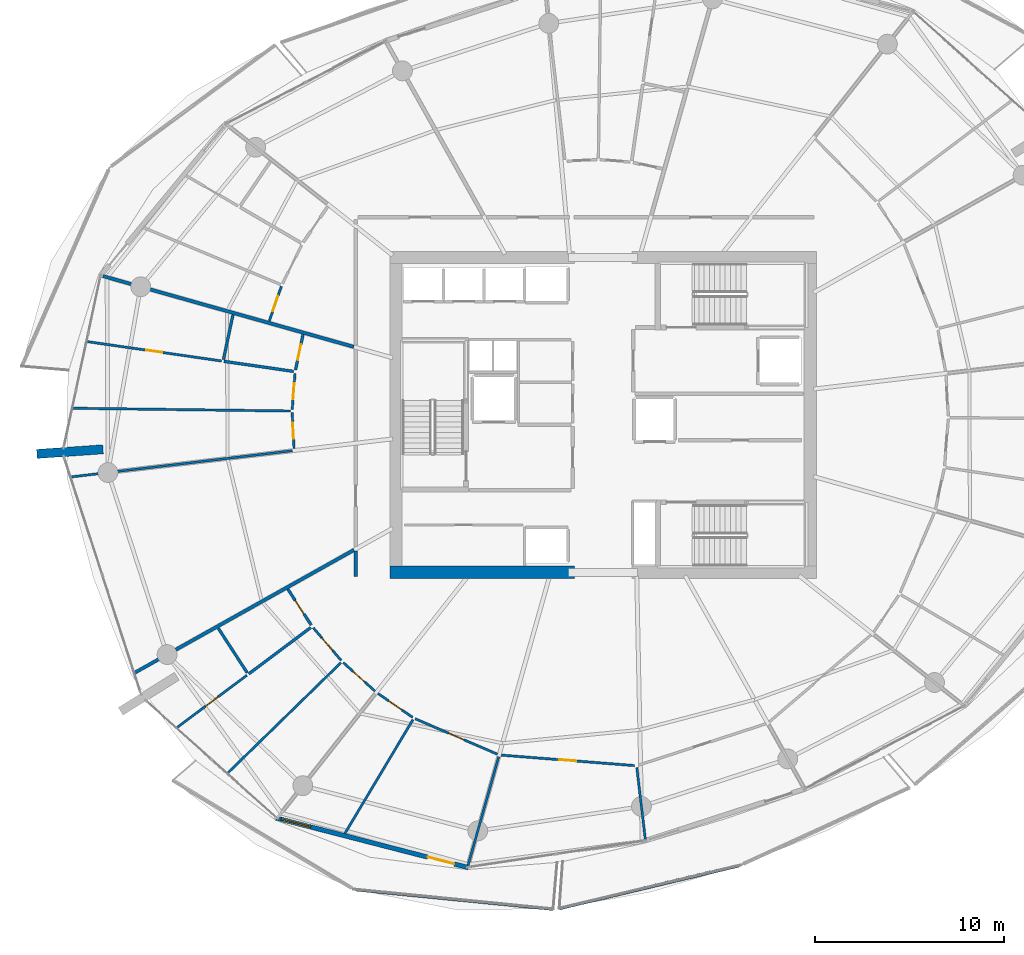
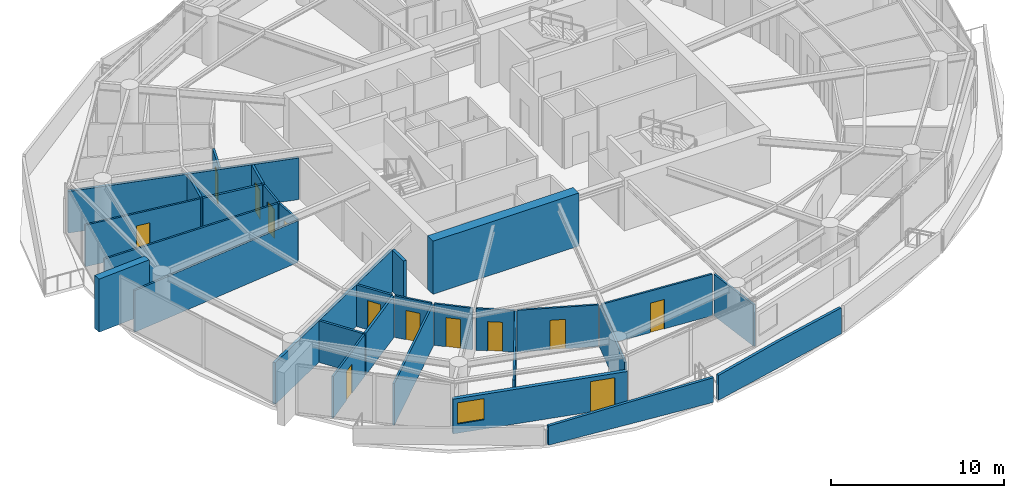
# One storey, part 10 of 19: 30 walls, 13 doors, 1 window, 14 openings.
"""IFC4 building model written with IfcOpenShell, lengths in metres."""

from ifc_helpers import new_model, si_unit, direction, frame, frame_2d, origin, place, context, subcontext, project, spatial, polyline, rectangle, outline, extrude, material, layer, layer_set, type_object, element, fill, save


model = new_model("IFC4")

# Units and contexts
model_context = context("Model", 3, precision=1e-05, world=origin(), true_north=direction((0.0, 1.0)))
body_context = subcontext(model_context, "Body", "Model", "MODEL_VIEW")
ifc_project = project(units=[si_unit("LENGTHUNIT", "METRE"), si_unit("AREAUNIT", "SQUARE_METRE"), si_unit("VOLUMEUNIT", "CUBIC_METRE"), si_unit("PLANEANGLEUNIT", "RADIAN"), si_unit("MASSUNIT", "GRAM", prefix="KILO")], contexts=[model_context])

# Site, building, storey
site_placement = place(None, origin())
site = spatial("IfcSite", under=ifc_project, at=site_placement, CompositionType="ELEMENT")
building_placement = place(site_placement, origin())
building = spatial("IfcBuilding", under=site, at=building_placement, Name="Kazma Halo Residences", CompositionType="ELEMENT")
storey_placement = place(building_placement, frame((0.0, 0.0, 199.050048828125)))
storey = spatial("IfcBuildingStorey", under=building, at=storey_placement, Name="L50", CompositionType="ELEMENT", Elevation=199.050048828125)

# Walls
ifc_material_1 = material(Name="White Concrete C50/60 Balustrade", Category="concrete")
ifc_layer_1 = layer(ifc_material_1, 0.179931640625)
ifc_layer_set_1 = layer_set([ifc_layer_1], Name="White Concrete C50/60 Balustrade")
wall_type_1 = type_object("IfcWallType", Name="WL-BAL-WAVE-180", PredefinedType="PARAPET", material=ifc_layer_set_1)
wall_1_placement = place(storey_placement, frame((35.343505859375, 16.914306640625, 0.0), z_axis=(0.0, 0.0, 1.0), x_axis=(0.995154913377, -0.098319369306, 0.0)))
element("IfcWall", 1, at=wall_1_placement, inside=storey, type_object=wall_type_1, Name="L50 white wave balustrade wall SW.2", PredefinedType="PARAPET", context=body_context, shape_type="SweptSolid", body=[
    extrude(outline(polyline([(0.0, 0.0), (10.4912109375, 0.0), (10.4912109375, 1.7470703125), (5.24560546875, 1.56201171875), (0.0, 1.347900390625), (0.0, 0.0)])), frame((0.0, 0.08984375, 0.0), z_axis=(0.0, -1.0, 0.0), x_axis=(1.0, 0.0, 0.0)), (0.0, 0.0, 1.0), 0.179931640625),
])
wall_2_placement = place(storey_placement, frame((46.107421875, 15.91552734375, 0.0), z_axis=(0.0, 0.0, 1.0), x_axis=(0.972746941522, 0.231869333374, 0.0)))
element("IfcWall", 2, at=wall_2_placement, inside=storey, type_object=wall_type_1, Name="L50 white wave balustrade wall SSE.1", PredefinedType="PARAPET", context=body_context, shape_type="SweptSolid", body=[
    extrude(outline(polyline([(0.0, 0.0), (9.772216796875, 0.0), (9.772216796875, 1.83203125), (4.885986328125, 1.85302734375), (0.0, 1.755859375), (0.0, 0.0)])), frame((0.0, 0.08984375, 0.0), z_axis=(0.0, -1.0, 0.0), x_axis=(1.0, 0.0, 0.0)), (0.0, 0.0, 1.0), 0.179931640625),
])
ifc_material_2 = material(Name="Pale Concrete C60/75", Category="concrete")
ifc_layer_2 = layer(ifc_material_2, 0.47998046875)
ifc_layer_set_2 = layer_set([ifc_layer_2], Name="Pale Concrete C60/75")
wall_type_2 = type_object("IfcWallType", Name="WL-BLADE-480", PredefinedType="SOLIDWALL", material=ifc_layer_set_2)
wall_3_placement = place(storey_placement, frame((21.9873046875, 40.180908203125, 0.0), z_axis=(0.0, 0.0, 1.0), x_axis=(-0.997568676264, -0.069690287244, 0.0)))
element("IfcWall", 3, at=wall_3_placement, inside=storey, type_object=wall_type_2, Name="L50 pale concrete structural blade fin wall BW-02", PredefinedType="SOLIDWALL", context=body_context, shape_type="SweptSolid", body=[
    extrude(rectangle(XDim=3.499755859375, YDim=0.47998046875, at=frame_2d((1.75, 0.0))), origin(), (0.0, 0.0, 1.0), 3.75),
])
ifc_material_3 = material(Name="Concrete C60/75", Category="concrete")
ifc_layer_3 = layer(ifc_material_3, 0.64990234375)
ifc_layer_set_3 = layer_set([ifc_layer_3], Name="Concrete C60/75")
wall_type_3 = type_object("IfcWallType", Name="WL-CORE-650", PredefinedType="SHEAR", material=ifc_layer_set_3)
wall_4_placement = place(storey_placement, frame((37.14990234375, 33.675048828125, 0.0), z_axis=(0.0, 0.0, 1.0), x_axis=(1.0, 0.0, 0.0)))
element("IfcWall", 4, at=wall_4_placement, inside=storey, type_object=wall_type_3, Name="L50 central core shear wall SW", PredefinedType="SHEAR", context=body_context, shape_type="SweptSolid", body=[
    extrude(rectangle(XDim=9.75, YDim=0.64990234375, at=frame_2d((4.875, 0.0))), origin(), (0.0, 0.0, 1.0), 3.75),
])
ifc_material_4 = material(Name="Acoustic Twin-Stud Gypsum")
ifc_layer_4 = layer(ifc_material_4, 0.179931640625)
ifc_layer_set_4 = layer_set([ifc_layer_4], Name="Acoustic Twin-Stud Gypsum")
wall_type_4 = type_object("IfcWallType", Name="WL-DEM-180", PredefinedType="PARTITIONING", material=ifc_layer_set_4)
wall_5_placement = place(storey_placement, frame((35.244140625, 45.59765625, 0.0), z_axis=(0.0, 0.0, 1.0), x_axis=(-0.962456561262, 0.271435752405, 0.0)))
element("IfcWall", 5, at=wall_5_placement, inside=storey, type_object=wall_type_4, Name="L50 apartment demising radial wall 06", PredefinedType="PARTITIONING", context=body_context, shape_type="SweptSolid", body=[
    extrude(rectangle(XDim=13.77685546875, YDim=0.179931640625, at=frame_2d((6.888427734375, 0.0))), origin(), (0.0, 0.0, 1.0), 2.93994140625),
])
wall_6_placement = place(storey_placement, frame((35.25390625, 34.862060546875, 0.0), z_axis=(0.0, 0.0, 1.0), x_axis=(-0.872489721771, -0.488632464541, 0.0)))
element("IfcWall", 6, at=wall_6_placement, inside=storey, type_object=wall_type_4, Name="L50 apartment demising radial wall 08", PredefinedType="PARTITIONING", context=body_context, shape_type="SweptSolid", body=[
    extrude(rectangle(XDim=13.286376953125, YDim=0.179931640625, at=frame_2d((6.64306640625, 0.0))), origin(), (0.0, 0.0, 1.0), 2.93994140625),
])
wall_7_placement = place(storey_placement, frame((35.35009765625, 34.795654296875, 0.0), z_axis=(0.0, 0.0, 1.0), x_axis=(0.0, -1.0, 0.0)))
element("IfcWall", 7, at=wall_7_placement, inside=storey, type_object=wall_type_4, Name="L50 Apartment 4 inner wall 8", PredefinedType="PARTITIONING", context=body_context, shape_type="SweptSolid", body=[
    extrude(rectangle(XDim=1.32568359375, YDim=0.179931640625, at=frame_2d((0.662841796875, 0.0))), origin(), (0.0, 0.0, 1.0), 2.93994140625),
])

# Wall, openings, door, window
ifc_material_5 = material(Name="Insulated Pale-Metal Composite Wall")
ifc_layer_5 = layer(ifc_material_5, 0.239990234375)
ifc_layer_set_5 = layer_set([ifc_layer_5], Name="Insulated Pale-Metal Composite Wall")
wall_type_5 = type_object("IfcWallType", Name="WL-EXT-HOST-240", PredefinedType="SOLIDWALL", material=ifc_layer_set_5)
wall_8_placement = place(storey_placement, frame((31.139892578125, 20.68701171875, 0.0), z_axis=(0.0, 0.0, 1.0), x_axis=(0.968374028006, -0.249502989727, 0.0)))
wall_8 = element("IfcWall", 8, at=wall_8_placement, inside=storey, type_object=wall_type_5, Name="L50 exterior terrace-access wall B10", PredefinedType="SOLIDWALL", context=body_context, shape_type="SweptSolid", body=[
    extrude(rectangle(XDim=10.494384765625, YDim=0.239990234375, at=frame_2d((5.2470703125, 0.0))), origin(), (0.0, 0.0, 1.0), 2.449951171875),
])
opening_1_placement = place(wall_8_placement, frame((8.2744140625, 0.0, 0.0)))
opening_1 = element("IfcOpeningElement", 9, at=opening_1_placement, cuts=wall_8, Name="Opening DTR-1600", PredefinedType="OPENING", context=body_context, shape_type="SweptSolid", body=[
    extrude(rectangle(XDim=1.449951171875, YDim=2.14990234375, at=frame_2d((0.72509765625, 1.074951171875))), frame((0.0, 0.1298828125, 0.0), z_axis=(0.0, -1.0, 0.0), x_axis=(1.0, 0.0, 0.0)), (0.0, 0.0, 1.0), 0.260009765625),
])
opening_2_placement = place(wall_8_placement, frame((0.280029296875, 0.0, 0.64990234375)))
opening_2 = element("IfcOpeningElement", 10, at=opening_2_placement, cuts=wall_8, Name="Opening W-1800", PredefinedType="OPENING", context=body_context, shape_type="SweptSolid", body=[
    extrude(rectangle(XDim=1.60009765625, YDim=1.5, at=frame_2d((0.800048828125, 0.75))), frame((0.0, 0.1298828125, 0.0), z_axis=(0.0, -1.0, 0.0), x_axis=(1.0, 0.0, 0.0)), (0.0, 0.0, 1.0), 0.260009765625),
])
ifc_material_6 = material(Name="Aluminium AW-6063 T6 Double-Glazed Terrace Door", Category="aluminium")
door_type_1 = type_object("IfcDoorType", Name="DR-EXT-TERR-1600", OperationType="NOTDEFINED", PredefinedType="DOOR", material=ifc_material_6)
door_1_placement = place(opening_1_placement, origin())
door_1 = element("IfcDoor", 11, at=door_1_placement, inside=storey, type_object=door_type_1, Name="L50 B10 balcony terrace door", OperationType="DOUBLE_DOOR_SLIDING", OverallHeight=2.14990234375, OverallWidth=1.449951171875, PredefinedType="DOOR", context=body_context, shape_type="SweptSolid", body=[
    extrude(rectangle(XDim=1.449951171875, YDim=2.14990234375, at=frame_2d((0.72509765625, 1.074951171875))), frame((0.0, 0.02490234375, 0.0), z_axis=(0.0, -1.0, 0.0), x_axis=(1.0, 0.0, 0.0)), (0.0, 0.0, 1.0), 0.050048828125),
])
fill(opening_1, door_1)
ifc_material_7 = material(Name="Clear Triple-Silver Low-E Glass in Aluminium AW-6063 T6 Frame", Category="aluminium")
window_type = type_object("IfcWindowType", Name="WIN-RES-1800", PartitioningType="DOUBLE_PANEL_VERTICAL", PredefinedType="WINDOW", material=ifc_material_7)
window_placement = place(opening_2_placement, origin())
window = element("IfcWindow", 12, at=window_placement, inside=storey, type_object=window_type, Name="L50 B10 apartment window", OverallHeight=1.5, OverallWidth=1.60009765625, PartitioningType="SINGLE_PANEL", PredefinedType="WINDOW", context=body_context, shape_type="SweptSolid", body=[
    extrude(rectangle(XDim=1.60009765625, YDim=1.5, at=frame_2d((0.800048828125, 0.75))), frame((0.0, 0.030029296875, 0.0), z_axis=(0.0, -1.0, 0.0), x_axis=(1.0, 0.0, 0.0)), (0.0, 0.0, 1.0), 0.06005859375),
])
fill(opening_2, window)

# Wall, opening, door
ifc_material_8 = material(Name="Gypsum Plasterboard Partition")
ifc_layer_6 = layer(ifc_material_8, 0.125)
ifc_layer_set_6 = layer_set([ifc_layer_6], Name="Gypsum Plasterboard Partition")
wall_type_6 = type_object("IfcWallType", Name="WL-PART-125", PredefinedType="PARTITIONING", material=ifc_layer_set_6)
wall_9_placement = place(storey_placement, frame((31.4140625, 48.793701171875, 0.0), z_axis=(0.0, 0.0, 1.0), x_axis=(-0.32794461855, -0.944696949907, 0.0)))
wall_9 = element("IfcWall", 13, at=wall_9_placement, inside=storey, type_object=wall_type_6, Name="L50 Apartment 2 Primary Bedroom hall wall", PredefinedType="PARTITIONING", context=body_context, shape_type="SweptSolid", body=[
    extrude(rectangle(XDim=1.93994140625, YDim=0.125, at=frame_2d((0.969970703125, 0.0))), origin(), (0.0, 0.0, 1.0), 2.93994140625),
])
opening_3_placement = place(wall_9_placement, frame((0.544921875, 0.0, 0.0)))
opening_3 = element("IfcOpeningElement", 14, at=opening_3_placement, cuts=wall_9, Name="Opening DB-900", PredefinedType="OPENING", context=body_context, shape_type="SweptSolid", body=[
    extrude(rectangle(XDim=0.85009765625, YDim=2.06005859375, at=frame_2d((0.425048828125, 1.030029296875))), frame((0.0, 0.072509765625, 0.0), z_axis=(0.0, -1.0, 0.0), x_axis=(1.0, 0.0, 0.0)), (0.0, 0.0, 1.0), 0.14501953125),
])
ifc_material_9 = material(Name="Moisture-Sealed Timber Leaf", Category="wood")
door_type_2 = type_object("IfcDoorType", Name="DR-BTH-900", OperationType="NOTDEFINED", PredefinedType="DOOR", material=ifc_material_9)
door_2_placement = place(opening_3_placement, origin())
door_2 = element("IfcDoor", 15, at=door_2_placement, inside=storey, type_object=door_type_2, Name="L50 Apartment 2 Primary Bedroom door", OperationType="SINGLE_SWING_LEFT", OverallHeight=2.06005859375, OverallWidth=0.85009765625, PredefinedType="DOOR", context=body_context, shape_type="SweptSolid", body=[
    extrude(rectangle(XDim=0.85009765625, YDim=2.06005859375, at=frame_2d((0.425048828125, 1.030029296875))), frame((0.0, 0.02490234375, 0.0), z_axis=(0.0, -1.0, 0.0), x_axis=(1.0, 0.0, 0.0)), (0.0, 0.0, 1.0), 0.050048828125),
])
fill(opening_3, door_2)

# Wall
wall_10_placement = place(storey_placement, frame((31.99267578125, 40.10546875, 0.0), z_axis=(0.0, 0.0, 1.0), x_axis=(-0.993067142816, -0.117548500026, 0.0)))
element("IfcWall", 16, at=wall_10_placement, inside=storey, type_object=wall_type_6, Name="L50 Apartment 3 living radial partition 6", PredefinedType="PARTITIONING", context=body_context, shape_type="SweptSolid", body=[
    extrude(rectangle(XDim=11.776123046875, YDim=0.125, at=frame_2d((5.88818359375, 0.0))), origin(), (0.0, 0.0, 1.0), 2.93994140625),
])

# Wall, opening, door
wall_11_placement = place(storey_placement, frame((28.24560546875, 44.85107421875, 0.0), z_axis=(0.0, 0.0, 1.0), x_axis=(-0.989746473816, 0.142835281243, 0.0)))
wall_11 = element("IfcWall", 17, at=wall_11_placement, inside=storey, type_object=wall_type_6, Name="L50 Apartment 3 Household Store Room partition wall", PredefinedType="PARTITIONING", context=body_context, shape_type="SweptSolid", body=[
    extrude(rectangle(XDim=7.1787109375, YDim=0.125, at=frame_2d((3.58935546875, 0.0))), origin(), (0.0, 0.0, 1.0), 2.93994140625),
])
opening_4_placement = place(wall_11_placement, frame((3.164306640625, 0.0, 0.0)))
opening_4 = element("IfcOpeningElement", 18, at=opening_4_placement, cuts=wall_11, Name="Opening DB-900", PredefinedType="OPENING", context=body_context, shape_type="SweptSolid", body=[
    extrude(rectangle(XDim=0.85009765625, YDim=2.06005859375, at=frame_2d((0.425048828125, 1.030029296875))), frame((0.0, 0.072509765625, 0.0), z_axis=(0.0, -1.0, 0.0), x_axis=(1.0, 0.0, 0.0)), (0.0, 0.0, 1.0), 0.14501953125),
])
door_3_placement = place(opening_4_placement, origin())
door_3 = element("IfcDoor", 19, at=door_3_placement, inside=storey, type_object=door_type_2, Name="L50 Apartment 3 Household Store Room door", OperationType="SINGLE_SWING_RIGHT", OverallHeight=2.06005859375, OverallWidth=0.85009765625, PredefinedType="DOOR", context=body_context, shape_type="SweptSolid", body=[
    extrude(rectangle(XDim=0.85009765625, YDim=2.06005859375, at=frame_2d((0.425048828125, 1.030029296875))), frame((0.0, 0.02490234375, 0.0), z_axis=(0.0, -1.0, 0.0), x_axis=(1.0, 0.0, 0.0)), (0.0, 0.0, 1.0), 0.050048828125),
])
fill(opening_4, door_3)

# Wall
wall_12_placement = place(storey_placement, frame((31.892333984375, 42.20556640625, 0.0), z_axis=(0.0, 0.0, 1.0), x_axis=(-0.999918457131, 0.012770242298, 0.0)))
element("IfcWall", 20, at=wall_12_placement, inside=storey, type_object=wall_type_6, Name="L50 Apartment 3 suite divider 6", PredefinedType="PARTITIONING", context=body_context, shape_type="SweptSolid", body=[
    extrude(rectangle(XDim=11.509033203125, YDim=0.125, at=frame_2d((5.75439453125, 0.0))), origin(), (0.0, 0.0, 1.0), 2.93994140625),
])

# Wall, opening, door
wall_13_placement = place(storey_placement, frame((32.13818359375, 44.198486328125, 0.0), z_axis=(0.0, 0.0, 1.0), x_axis=(-0.077940981826, -0.996957974717, 0.0)))
wall_13 = element("IfcWall", 21, at=wall_13_placement, inside=storey, type_object=wall_type_6, Name="L50 Apartment 3 Gourmet Kitchen hall wall", PredefinedType="PARTITIONING", context=body_context, shape_type="SweptSolid", body=[
    extrude(rectangle(XDim=1.920166015625, YDim=0.125, at=frame_2d((0.9599609375, 0.0))), origin(), (0.0, 0.0, 1.0), 2.93994140625),
])
opening_5_placement = place(wall_13_placement, frame((0.53515625, 0.0, 0.0)))
opening_5 = element("IfcOpeningElement", 22, at=opening_5_placement, cuts=wall_13, Name="Opening DB-900", PredefinedType="OPENING", context=body_context, shape_type="SweptSolid", body=[
    extrude(rectangle(XDim=0.85009765625, YDim=2.06005859375, at=frame_2d((0.425048828125, 1.030029296875))), frame((0.0, 0.072509765625, 0.0), z_axis=(0.0, -1.0, 0.0), x_axis=(1.0, 0.0, 0.0)), (0.0, 0.0, 1.0), 0.14501953125),
])
door_4_placement = place(opening_5_placement, origin())
door_4 = element("IfcDoor", 23, at=door_4_placement, inside=storey, type_object=door_type_2, Name="L50 Apartment 3 Gourmet Kitchen door", OperationType="SINGLE_SWING_LEFT", OverallHeight=2.06005859375, OverallWidth=0.85009765625, PredefinedType="DOOR", context=body_context, shape_type="SweptSolid", body=[
    extrude(rectangle(XDim=0.85009765625, YDim=2.06005859375, at=frame_2d((0.425048828125, 1.030029296875))), frame((0.0, 0.02490234375, 0.0), z_axis=(0.0, -1.0, 0.0), x_axis=(1.0, 0.0, 0.0)), (0.0, 0.0, 1.0), 0.050048828125),
])
fill(opening_5, door_4)

wall_14_placement = place(storey_placement, frame((31.986572265625, 42.12451171875, 0.0), z_axis=(0.0, 0.0, 1.0), x_axis=(0.052531998998, -0.998619241293, 0.0)))
wall_14 = element("IfcWall", 24, at=wall_14_placement, inside=storey, type_object=wall_type_6, Name="L50 Apartment 3 Primary Bedroom hall wall", PredefinedType="PARTITIONING", context=body_context, shape_type="SweptSolid", body=[
    extrude(rectangle(XDim=1.91015625, YDim=0.125, at=frame_2d((0.955078125, 0.0))), origin(), (0.0, 0.0, 1.0), 2.93994140625),
])
opening_6_placement = place(wall_14_placement, frame((0.530029296875, 0.0, 0.0)))
opening_6 = element("IfcOpeningElement", 25, at=opening_6_placement, cuts=wall_14, Name="Opening DB-900", PredefinedType="OPENING", context=body_context, shape_type="SweptSolid", body=[
    extrude(rectangle(XDim=0.85009765625, YDim=2.06005859375, at=frame_2d((0.425048828125, 1.030029296875))), frame((0.0, 0.072509765625, 0.0), z_axis=(0.0, -1.0, 0.0), x_axis=(1.0, 0.0, 0.0)), (0.0, 0.0, 1.0), 0.14501953125),
])
door_5_placement = place(opening_6_placement, origin())
door_5 = element("IfcDoor", 26, at=door_5_placement, inside=storey, type_object=door_type_2, Name="L50 Apartment 3 Primary Bedroom door", OperationType="SINGLE_SWING_RIGHT", OverallHeight=2.06005859375, OverallWidth=0.85009765625, PredefinedType="DOOR", context=body_context, shape_type="SweptSolid", body=[
    extrude(rectangle(XDim=0.85009765625, YDim=2.06005859375, at=frame_2d((0.425048828125, 1.030029296875))), frame((0.0, 0.02490234375, 0.0), z_axis=(0.0, -1.0, 0.0), x_axis=(1.0, 0.0, 0.0)), (0.0, 0.0, 1.0), 0.050048828125),
])
fill(opening_6, door_5)

wall_15_placement = place(storey_placement, frame((29.590576171875, 28.234375, 0.0), z_axis=(0.0, 0.0, 1.0), x_axis=(-0.80085424852, -0.598859309544, 0.0)))
wall_15 = element("IfcWall", 27, at=wall_15_placement, inside=storey, type_object=wall_type_6, Name="L50 Apartment 4 Utility Laundry Room partition wall", PredefinedType="PARTITIONING", context=body_context, shape_type="SweptSolid", body=[
    extrude(rectangle(XDim=4.62548828125, YDim=0.125, at=frame_2d((2.312744140625, 0.0))), origin(), (0.0, 0.0, 1.0), 2.93994140625),
])
opening_7_placement = place(wall_15_placement, frame((1.8876953125, 0.0, 0.0)))
opening_7 = element("IfcOpeningElement", 28, at=opening_7_placement, cuts=wall_15, Name="Opening DB-900", PredefinedType="OPENING", context=body_context, shape_type="SweptSolid", body=[
    extrude(rectangle(XDim=0.85009765625, YDim=2.06005859375, at=frame_2d((0.425048828125, 1.030029296875))), frame((0.0, 0.072509765625, 0.0), z_axis=(0.0, -1.0, 0.0), x_axis=(1.0, 0.0, 0.0)), (0.0, 0.0, 1.0), 0.14501953125),
])
door_6_placement = place(opening_7_placement, origin())
door_6 = element("IfcDoor", 29, at=door_6_placement, inside=storey, type_object=door_type_2, Name="L50 Apartment 4 Utility Laundry Room door", OperationType="SINGLE_SWING_RIGHT", OverallHeight=2.06005859375, OverallWidth=0.85009765625, PredefinedType="DOOR", context=body_context, shape_type="SweptSolid", body=[
    extrude(rectangle(XDim=0.85009765625, YDim=2.06005859375, at=frame_2d((0.425048828125, 1.030029296875))), frame((0.0, 0.02490234375, 0.0), z_axis=(0.0, -1.0, 0.0), x_axis=(1.0, 0.0, 0.0)), (0.0, 0.0, 1.0), 0.050048828125),
])
fill(opening_7, door_6)

# Wall
wall_16_placement = place(storey_placement, frame((34.5615234375, 28.900146484375, 0.0), z_axis=(0.0, 0.0, 1.0), x_axis=(-0.716077779963, -0.698020496148, 0.0)))
element("IfcWall", 30, at=wall_16_placement, inside=storey, type_object=wall_type_6, Name="L50 Apartment 4 suite divider 8", PredefinedType="PARTITIONING", context=body_context, shape_type="SweptSolid", body=[
    extrude(rectangle(XDim=8.369140625, YDim=0.125, at=frame_2d((4.1845703125, 0.0))), origin(), (0.0, 0.0, 1.0), 2.93994140625),
])

# Wall, opening, door
wall_17_placement = place(storey_placement, frame((33.100830078125, 30.746826171875, 0.0), z_axis=(0.0, 0.0, 1.0), x_axis=(0.649815270802, -0.760092174564, 0.0)))
wall_17 = element("IfcWall", 31, at=wall_17_placement, inside=storey, type_object=wall_type_6, Name="L50 Apartment 4 Gourmet Kitchen hall wall", PredefinedType="PARTITIONING", context=body_context, shape_type="SweptSolid", body=[
    extrude(rectangle(XDim=2.26708984375, YDim=0.125, at=frame_2d((1.133544921875, 0.0))), origin(), (0.0, 0.0, 1.0), 2.93994140625),
])
opening_8_placement = place(wall_17_placement, frame((0.70849609375, 0.0, 0.0)))
opening_8 = element("IfcOpeningElement", 32, at=opening_8_placement, cuts=wall_17, Name="Opening DB-900", PredefinedType="OPENING", context=body_context, shape_type="SweptSolid", body=[
    extrude(rectangle(XDim=0.85009765625, YDim=2.06005859375, at=frame_2d((0.425048828125, 1.030029296875))), frame((0.0, 0.072509765625, 0.0), z_axis=(0.0, -1.0, 0.0), x_axis=(1.0, 0.0, 0.0)), (0.0, 0.0, 1.0), 0.14501953125),
])
door_7_placement = place(opening_8_placement, origin())
door_7 = element("IfcDoor", 33, at=door_7_placement, inside=storey, type_object=door_type_2, Name="L50 Apartment 4 Gourmet Kitchen door", OperationType="SINGLE_SWING_LEFT", OverallHeight=2.06005859375, OverallWidth=0.85009765625, PredefinedType="DOOR", context=body_context, shape_type="SweptSolid", body=[
    extrude(rectangle(XDim=0.85009765625, YDim=2.06005859375, at=frame_2d((0.425048828125, 1.030029296875))), frame((0.0, 0.02490234375, 0.0), z_axis=(0.0, -1.0, 0.0), x_axis=(1.0, 0.0, 0.0)), (0.0, 0.0, 1.0), 0.050048828125),
])
fill(opening_8, door_7)

wall_18_placement = place(storey_placement, frame((34.685302734375, 28.909423828125, 0.0), z_axis=(0.0, 0.0, 1.0), x_axis=(0.74323497862, -0.669030467584, 0.0)))
wall_18 = element("IfcWall", 34, at=wall_18_placement, inside=storey, type_object=wall_type_6, Name="L50 Apartment 4 Primary Bedroom hall wall", PredefinedType="PARTITIONING", context=body_context, shape_type="SweptSolid", body=[
    extrude(rectangle(XDim=2.257080078125, YDim=0.125, at=frame_2d((1.12841796875, 0.0))), origin(), (0.0, 0.0, 1.0), 2.93994140625),
])
opening_9_placement = place(wall_18_placement, frame((0.70361328125, 0.0, 0.0)))
opening_9 = element("IfcOpeningElement", 35, at=opening_9_placement, cuts=wall_18, Name="Opening DB-900", PredefinedType="OPENING", context=body_context, shape_type="SweptSolid", body=[
    extrude(rectangle(XDim=0.85009765625, YDim=2.06005859375, at=frame_2d((0.425048828125, 1.030029296875))), frame((0.0, 0.072509765625, 0.0), z_axis=(0.0, -1.0, 0.0), x_axis=(1.0, 0.0, 0.0)), (0.0, 0.0, 1.0), 0.14501953125),
])
door_8_placement = place(opening_9_placement, origin())
door_8 = element("IfcDoor", 36, at=door_8_placement, inside=storey, type_object=door_type_2, Name="L50 Apartment 4 Primary Bedroom door", OperationType="SINGLE_SWING_RIGHT", OverallHeight=2.06005859375, OverallWidth=0.85009765625, PredefinedType="DOOR", context=body_context, shape_type="SweptSolid", body=[
    extrude(rectangle(XDim=0.85009765625, YDim=2.06005859375, at=frame_2d((0.425048828125, 1.030029296875))), frame((0.0, 0.02490234375, 0.0), z_axis=(0.0, -1.0, 0.0), x_axis=(1.0, 0.0, 0.0)), (0.0, 0.0, 1.0), 0.050048828125),
])
fill(opening_9, door_8)

# Wall
wall_19_placement = place(storey_placement, frame((38.370849609375, 25.8916015625, 0.0), z_axis=(0.0, 0.0, 1.0), x_axis=(-0.513096895206, -0.858330691593, 0.0)))
element("IfcWall", 37, at=wall_19_placement, inside=storey, type_object=wall_type_6, Name="L50 Apartment 4 mid-bay wall 9", PredefinedType="PARTITIONING", context=body_context, shape_type="SweptSolid", body=[
    extrude(rectangle(XDim=7.01025390625, YDim=0.125, at=frame_2d((3.505126953125, 0.0))), origin(), (0.0, 0.0, 1.0), 2.93994140625),
])

# Wall, opening, door
wall_20_placement = place(storey_placement, frame((36.51953125, 27.27587890625, 0.0), z_axis=(0.0, 0.0, 1.0), x_axis=(0.823561163257, -0.567227476746, 0.0)))
wall_20 = element("IfcWall", 38, at=wall_20_placement, inside=storey, type_object=wall_type_6, Name="L50 Apartment 4 Primary Wine Pantry Store hall wall", PredefinedType="PARTITIONING", context=body_context, shape_type="SweptSolid", body=[
    extrude(rectangle(XDim=2.223876953125, YDim=0.125, at=frame_2d((1.11181640625, 0.0))), origin(), (0.0, 0.0, 1.0), 2.93994140625),
])
opening_10_placement = place(wall_20_placement, frame((0.68701171875, 0.0, 0.0)))
opening_10 = element("IfcOpeningElement", 39, at=opening_10_placement, cuts=wall_20, Name="Opening DB-900", PredefinedType="OPENING", context=body_context, shape_type="SweptSolid", body=[
    extrude(rectangle(XDim=0.85009765625, YDim=2.06005859375, at=frame_2d((0.425048828125, 1.030029296875))), frame((0.0, 0.072509765625, 0.0), z_axis=(0.0, -1.0, 0.0), x_axis=(1.0, 0.0, 0.0)), (0.0, 0.0, 1.0), 0.14501953125),
])
door_9_placement = place(opening_10_placement, origin())
door_9 = element("IfcDoor", 40, at=door_9_placement, inside=storey, type_object=door_type_2, Name="L50 Apartment 4 Primary Wine Pantry Store door", OperationType="SINGLE_SWING_RIGHT", OverallHeight=2.06005859375, OverallWidth=0.85009765625, PredefinedType="DOOR", context=body_context, shape_type="SweptSolid", body=[
    extrude(rectangle(XDim=0.85009765625, YDim=2.06005859375, at=frame_2d((0.425048828125, 1.030029296875))), frame((0.0, 0.02490234375, 0.0), z_axis=(0.0, -1.0, 0.0), x_axis=(1.0, 0.0, 0.0)), (0.0, 0.0, 1.0), 0.050048828125),
])
fill(opening_10, door_9)

wall_21_placement = place(storey_placement, frame((38.490478515625, 25.937255859375, 0.0), z_axis=(0.0, 0.0, 1.0), x_axis=(0.91836706471, -0.39572962292, 0.0)))
wall_21 = element("IfcWall", 41, at=wall_21_placement, inside=storey, type_object=wall_type_6, Name="L50 Apartment 4 Secondary Formal Dining Room hall wall", PredefinedType="PARTITIONING", context=body_context, shape_type="SweptSolid", body=[
    extrude(rectangle(XDim=4.734375, YDim=0.125, at=frame_2d((2.3671875, 0.0))), origin(), (0.0, 0.0, 1.0), 2.93994140625),
])
opening_11_placement = place(wall_21_placement, frame((1.917236328125, 0.0, 0.0)))
opening_11 = element("IfcOpeningElement", 42, at=opening_11_placement, cuts=wall_21, Name="Opening DI-950", PredefinedType="OPENING", context=body_context, shape_type="SweptSolid", body=[
    extrude(rectangle(XDim=0.89990234375, YDim=2.080078125, at=frame_2d((0.449951171875, 1.0400390625))), frame((0.0, 0.072509765625, 0.0), z_axis=(0.0, -1.0, 0.0), x_axis=(1.0, 0.0, 0.0)), (0.0, 0.0, 1.0), 0.14501953125),
])
ifc_material_10 = material(Name="Timber Veneer Flush Leaf", Category="wood")
door_type_3 = type_object("IfcDoorType", Name="DR-INT-950", OperationType="NOTDEFINED", PredefinedType="DOOR", material=ifc_material_10)
door_10_placement = place(opening_11_placement, origin())
door_10 = element("IfcDoor", 43, at=door_10_placement, inside=storey, type_object=door_type_3, Name="L50 Apartment 4 Secondary Formal Dining Room door", OperationType="SINGLE_SWING_LEFT", OverallHeight=2.080078125, OverallWidth=0.89990234375, PredefinedType="DOOR", context=body_context, shape_type="SweptSolid", body=[
    extrude(rectangle(XDim=0.89990234375, YDim=2.080078125, at=frame_2d((0.449951171875, 1.0400390625))), frame((0.0, 0.02490234375, 0.0), z_axis=(0.0, -1.0, 0.0), x_axis=(1.0, 0.0, 0.0)), (0.0, 0.0, 1.0), 0.050048828125),
])
fill(opening_11, door_10)

# Wall
wall_22_placement = place(storey_placement, frame((42.9033203125, 23.927978515625, 0.0), z_axis=(0.0, 0.0, 1.0), x_axis=(-0.2714679616, -0.962447476917, 0.0)))
element("IfcWall", 44, at=wall_22_placement, inside=storey, type_object=wall_type_6, Name="L50 Apartment 4 radial partition 10", PredefinedType="PARTITIONING", context=body_context, shape_type="SweptSolid", body=[
    extrude(rectangle(XDim=5.949951171875, YDim=0.125, at=frame_2d((2.97509765625, 0.0))), origin(), (0.0, 0.0, 1.0), 2.93994140625),
])

# Wall, opening, door
wall_23_placement = place(storey_placement, frame((43.0400390625, 24.015625, 0.0), z_axis=(0.0, 0.0, 1.0), x_axis=(0.996917803484, -0.078453126749, 0.0)))
wall_23 = element("IfcWall", 45, at=wall_23_placement, inside=storey, type_object=wall_type_6, Name="L50 Apartment 4 East Master Bedroom gallery wall", PredefinedType="PARTITIONING", context=body_context, shape_type="SweptSolid", body=[
    extrude(rectangle(XDim=7.067138671875, YDim=0.125, at=frame_2d((3.53369140625, 0.0))), origin(), (0.0, 0.0, 1.0), 2.93994140625),
])
opening_12_placement = place(wall_23_placement, frame((3.08349609375, 0.0, 0.0)))
opening_12 = element("IfcOpeningElement", 46, at=opening_12_placement, cuts=wall_23, Name="Opening DI-950", PredefinedType="OPENING", context=body_context, shape_type="SweptSolid", body=[
    extrude(rectangle(XDim=0.89990234375, YDim=2.080078125, at=frame_2d((0.449951171875, 1.0400390625))), frame((0.0, 0.072509765625, 0.0), z_axis=(0.0, -1.0, 0.0), x_axis=(1.0, 0.0, 0.0)), (0.0, 0.0, 1.0), 0.14501953125),
])
door_11_placement = place(opening_12_placement, origin())
door_11 = element("IfcDoor", 47, at=door_11_placement, inside=storey, type_object=door_type_3, Name="L50 Apartment 4 East Master Bedroom door", OperationType="SINGLE_SWING_LEFT", OverallHeight=2.080078125, OverallWidth=0.89990234375, PredefinedType="DOOR", context=body_context, shape_type="SweptSolid", body=[
    extrude(rectangle(XDim=0.89990234375, YDim=2.080078125, at=frame_2d((0.449951171875, 1.0400390625))), frame((0.0, 0.02490234375, 0.0), z_axis=(0.0, -1.0, 0.0), x_axis=(1.0, 0.0, 0.0)), (0.0, 0.0, 1.0), 0.050048828125),
])
fill(opening_12, door_11)

# Wall
wall_24_placement = place(storey_placement, frame((50.20703125, 23.353271484375, 0.0), z_axis=(0.0, 0.0, 1.0), x_axis=(0.117498356417, -0.993073076988, 0.0)))
element("IfcWall", 48, at=wall_24_placement, inside=storey, type_object=wall_type_6, Name="L50 Apartment 4 radial partition 11", PredefinedType="PARTITIONING", context=body_context, shape_type="SweptSolid", body=[
    extrude(rectangle(XDim=3.8583984375, YDim=0.125, at=frame_2d((1.92919921875, 0.0))), origin(), (0.0, 0.0, 1.0), 2.93994140625),
])

# Wall, opening, door
ifc_material_11 = material(Name="Moisture-Resistant Gypsum")
ifc_layer_7 = layer(ifc_material_11, 0.14990234375)
ifc_layer_set_7 = layer_set([ifc_layer_7], Name="Moisture-Resistant Gypsum")
wall_type_7 = type_object("IfcWallType", Name="WL-WET-150", PredefinedType="PARTITIONING", material=ifc_layer_set_7)
wall_25_placement = place(storey_placement, frame((32.5615234375, 46.25048828125, 0.0), z_axis=(0.0, 0.0, 1.0), x_axis=(-0.207448781271, -0.978245880722, 0.0)))
wall_25 = element("IfcWall", 49, at=wall_25_placement, inside=storey, type_object=wall_type_7, Name="L50 Apartment 3 Guest Bathroom hall wall", PredefinedType="PARTITIONING", context=body_context, shape_type="SweptSolid", body=[
    extrude(rectangle(XDim=1.916015625, YDim=0.14990234375, at=frame_2d((0.9580078125, 0.0))), origin(), (0.0, 0.0, 1.0), 2.93994140625),
])
opening_13_placement = place(wall_25_placement, frame((0.532958984375, 0.0, 0.0)))
opening_13 = element("IfcOpeningElement", 50, at=opening_13_placement, cuts=wall_25, Name="Opening DB-900", PredefinedType="OPENING", context=body_context, shape_type="SweptSolid", body=[
    extrude(rectangle(XDim=0.85009765625, YDim=2.06005859375, at=frame_2d((0.425048828125, 1.030029296875))), frame((0.0, 0.0849609375, 0.0), z_axis=(0.0, -1.0, 0.0), x_axis=(1.0, 0.0, 0.0)), (0.0, 0.0, 1.0), 0.169921875),
])
door_12_placement = place(opening_13_placement, origin())
door_12 = element("IfcDoor", 51, at=door_12_placement, inside=storey, type_object=door_type_2, Name="L50 Apartment 3 Guest Bathroom door", OperationType="SINGLE_SWING_LEFT", OverallHeight=2.06005859375, OverallWidth=0.85009765625, PredefinedType="DOOR", context=body_context, shape_type="SweptSolid", body=[
    extrude(rectangle(XDim=0.85009765625, YDim=2.06005859375, at=frame_2d((0.425048828125, 1.030029296875))), frame((0.0, 0.02490234375, 0.0), z_axis=(0.0, -1.0, 0.0), x_axis=(1.0, 0.0, 0.0)), (0.0, 0.0, 1.0), 0.050048828125),
])
fill(opening_13, door_12)

# Walls
wall_26_placement = place(storey_placement, frame((28.856201171875, 47.29541015625, 0.0), z_axis=(0.0, 0.0, 1.0), x_axis=(-0.207559748813, -0.978222342146, 0.0)))
element("IfcWall", 52, at=wall_26_placement, inside=storey, type_object=wall_type_7, Name="L50 Apartment 3 Guest Bathroom back wall", PredefinedType="PARTITIONING", context=body_context, shape_type="SweptSolid", body=[
    extrude(rectangle(XDim=2.421875, YDim=0.14990234375, at=frame_2d((1.2109375, 0.0))), origin(), (0.0, 0.0, 1.0), 2.93994140625),
])
wall_27_placement = place(storey_placement, frame((32.05615234375, 44.301025390625, 0.0), z_axis=(0.0, 0.0, 1.0), x_axis=(-0.989739703903, 0.142882184045, 0.0)))
element("IfcWall", 53, at=wall_27_placement, inside=storey, type_object=wall_type_7, Name="L50 Apartment 3 Guest Bathroom side wall", PredefinedType="PARTITIONING", context=body_context, shape_type="SweptSolid", body=[
    extrude(rectangle(XDim=3.7197265625, YDim=0.14990234375, at=frame_2d((1.85986328125, 0.0))), origin(), (0.0, 0.0, 1.0), 2.93994140625),
])

# Wall, opening, door
wall_28_placement = place(storey_placement, frame((31.7587890625, 32.790283203125, 0.0), z_axis=(0.0, 0.0, 1.0), x_axis=(0.544988350595, -0.838443616301, 0.0)))
wall_28 = element("IfcWall", 54, at=wall_28_placement, inside=storey, type_object=wall_type_7, Name="L50 Apartment 4 Guest Bathroom hall wall", PredefinedType="PARTITIONING", context=body_context, shape_type="SweptSolid", body=[
    extrude(rectangle(XDim=2.265380859375, YDim=0.14990234375, at=frame_2d((1.1328125, 0.0))), origin(), (0.0, 0.0, 1.0), 2.93994140625),
])
opening_14_placement = place(wall_28_placement, frame((0.70751953125, 0.0, 0.0)))
opening_14 = element("IfcOpeningElement", 55, at=opening_14_placement, cuts=wall_28, Name="Opening DB-900", PredefinedType="OPENING", context=body_context, shape_type="SweptSolid", body=[
    extrude(rectangle(XDim=0.85009765625, YDim=2.06005859375, at=frame_2d((0.425048828125, 1.030029296875))), frame((0.0, 0.0849609375, 0.0), z_axis=(0.0, -1.0, 0.0), x_axis=(1.0, 0.0, 0.0)), (0.0, 0.0, 1.0), 0.169921875),
])
door_13_placement = place(opening_14_placement, origin())
door_13 = element("IfcDoor", 56, at=door_13_placement, inside=storey, type_object=door_type_2, Name="L50 Apartment 4 Guest Bathroom door", OperationType="SINGLE_SWING_LEFT", OverallHeight=2.06005859375, OverallWidth=0.85009765625, PredefinedType="DOOR", context=body_context, shape_type="SweptSolid", body=[
    extrude(rectangle(XDim=0.85009765625, YDim=2.06005859375, at=frame_2d((0.425048828125, 1.030029296875))), frame((0.0, 0.02490234375, 0.0), z_axis=(0.0, -1.0, 0.0), x_axis=(1.0, 0.0, 0.0)), (0.0, 0.0, 1.0), 0.050048828125),
])
fill(opening_14, door_13)

# Walls
wall_29_placement = place(storey_placement, frame((28.076904296875, 30.728271484375, 0.0), z_axis=(0.0, 0.0, 1.0), x_axis=(0.544973135676, -0.838453505802, 0.0)))
element("IfcWall", 57, at=wall_29_placement, inside=storey, type_object=wall_type_7, Name="L50 Apartment 4 Guest Bathroom back wall", PredefinedType="PARTITIONING", context=body_context, shape_type="SweptSolid", body=[
    extrude(rectangle(XDim=2.820068359375, YDim=0.14990234375, at=frame_2d((1.41015625, 0.0))), origin(), (0.0, 0.0, 1.0), 2.93994140625),
])
wall_30_placement = place(storey_placement, frame((32.97021484375, 30.761474609375, 0.0), z_axis=(0.0, 0.0, 1.0), x_axis=(-0.800880183309, -0.598824625398, 0.0)))
element("IfcWall", 58, at=wall_30_placement, inside=storey, type_object=wall_type_7, Name="L50 Apartment 4 Guest Bathroom side wall", PredefinedType="PARTITIONING", context=body_context, shape_type="SweptSolid", body=[
    extrude(rectangle(XDim=4.090087890625, YDim=0.14990234375, at=frame_2d((2.044921875, 0.0))), origin(), (0.0, 0.0, 1.0), 2.93994140625),
])

save(model, "model.ifc")
